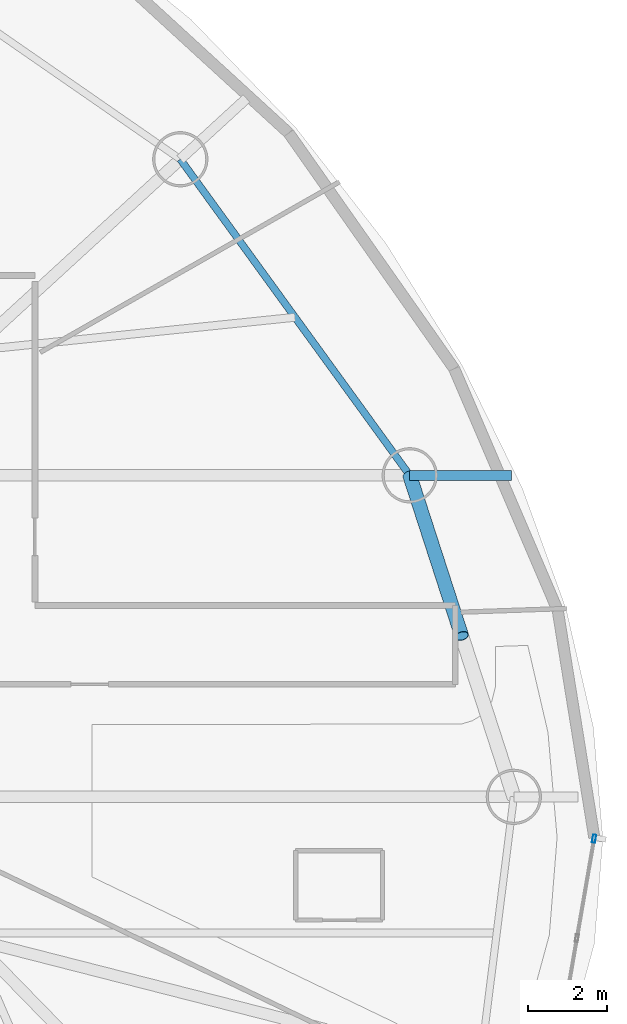
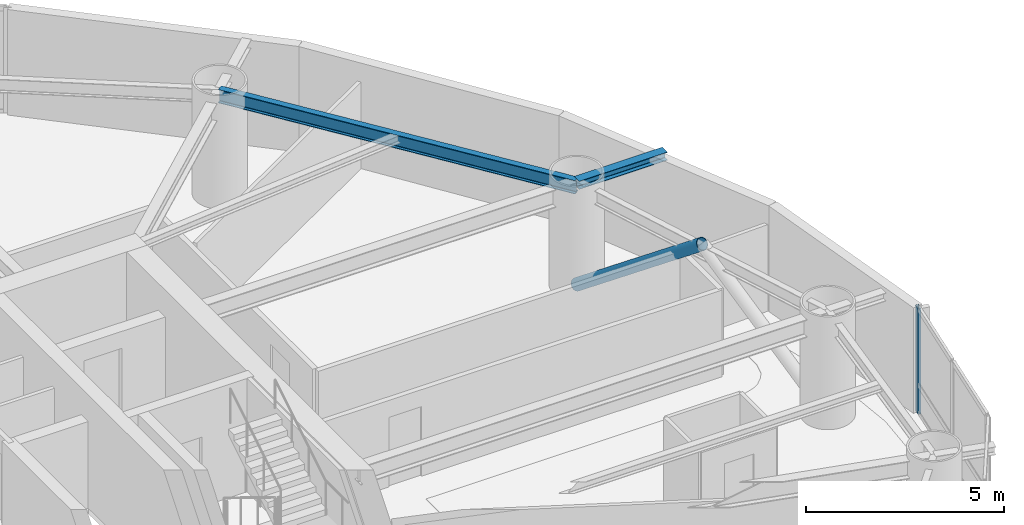
# One storey, part 9 of 22: 2 beams, 2 members, 1 element without a shape of its own.
"""IFC4 building model written with IfcOpenShell, lengths in metres."""

from ifc_helpers import new_model, si_unit, direction, frame, origin, origin_2d, place, context, subcontext, project, spatial, hollow_rectangle, hollow_circle, i_section, extrude, material, layer, layer_set, material_profile, profile_set, type_object, element, aggregate, save


model = new_model("IFC4")

# Units and contexts
model_context = context("Model", 3, precision=1e-05, world=origin(), true_north=direction((0.0, 1.0)))
body_context = subcontext(model_context, "Body", "Model", "MODEL_VIEW")
ifc_project = project(units=[si_unit("LENGTHUNIT", "METRE"), si_unit("AREAUNIT", "SQUARE_METRE"), si_unit("VOLUMEUNIT", "CUBIC_METRE"), si_unit("PLANEANGLEUNIT", "RADIAN"), si_unit("MASSUNIT", "GRAM", prefix="KILO")], contexts=[model_context])

# Site, building, storey
site_placement = place(None, origin())
site = spatial("IfcSite", under=ifc_project, at=site_placement, CompositionType="ELEMENT")
building_placement = place(site_placement, origin())
building = spatial("IfcBuilding", under=site, at=building_placement, Name="Bramvorn Convention Spire", CompositionType="ELEMENT")
storey_placement = place(building_placement, frame((0.0, 0.0, 116.800048828125)))
storey = spatial("IfcBuildingStorey", under=building, at=storey_placement, Name="L28", CompositionType="ELEMENT", Elevation=116.800048828125)

# Beams
ifc_material_1 = material(Name="Steel CSA G40.21 Grade 350 (350W)", Category="steel")
ifc_material_profile_1 = material_profile(ifc_material_1, i_section(OverallWidth=0.25390625, OverallDepth=0.2529296875, WebThickness=0.008544921875, FlangeThickness=0.01416015625, FilletRadius=0.011962890625, at=origin_2d()))
ifc_profile_set_1 = profile_set([ifc_material_profile_1], Name="Steel CSA G40.21 Grade 350 (350W) - W250X73")
beam_type_1 = type_object("IfcBeamType", Name="BM-W250X73", PredefinedType="BEAM", material=ifc_profile_set_1)
beam_1_placement = place(storey_placement, frame((60.345703125, 30.293212890625, 3.133544921875), z_axis=(1.0, 0.0, 0.0), x_axis=(0.0, 1.0, 0.0)))
element("IfcBeam", 1, at=beam_1_placement, inside=storey, type_object=beam_type_1, Name="L28 slab-edge cantilever tip beam MC03", PredefinedType="BEAM", context=body_context, shape_type="SweptSolid", body=[
    extrude(i_section(OverallWidth=0.25390625, OverallDepth=0.2529296875, WebThickness=0.008544921875, FlangeThickness=0.01416015625, FilletRadius=0.011962890625, at=origin_2d()), origin(), (0.0, 0.0, 1.0), 2.580078125),
])
ifc_material_profile_2 = material_profile(ifc_material_1, i_section(OverallWidth=0.180908203125, OverallDepth=0.4169921875, WebThickness=0.010986328125, FlangeThickness=0.018310546875, FilletRadius=0.01611328125, at=origin_2d()))
ifc_profile_set_2 = profile_set([ifc_material_profile_2], Name="Steel CSA G40.21 Grade 350 (350W) - W410X85")
beam_type_2 = type_object("IfcBeamType", Name="BM-W410X85", PredefinedType="JOIST", material=ifc_profile_set_2)
beam_2_placement = place(storey_placement, frame((60.345703125, 30.293212890625, 3.051513671875), z_axis=(-0.587401024629, 0.809296012757, 0.0), x_axis=(-0.809296012757, -0.587401024629, 0.0)))
element("IfcBeam", 2, at=beam_2_placement, inside=storey, type_object=beam_type_2, Name="L28 mega-column ring beam 03", PredefinedType="JOIST", context=body_context, shape_type="SweptSolid", body=[
    extrude(i_section(OverallWidth=0.180908203125, OverallDepth=0.4169921875, WebThickness=0.010986328125, FlangeThickness=0.018310546875, FilletRadius=0.01611328125, at=origin_2d()), origin(), (0.0, 0.0, 1.0), 9.892333984375),
])

# Curtain wall, member
ifc_material_2 = material(Name="Anodised Bronze Unitised Curtain Wall", Category="aluminium")
ifc_layer = layer(ifc_material_2, 0.179931640625)
ifc_layer_set = layer_set([ifc_layer], Name="Anodised Bronze Unitised Curtain Wall - CW-HTL-FRIT")
curtain_wall_type = type_object("IfcCurtainWallType", Name="CW-HTL-FRIT", PredefinedType="USERDEFINED", material=ifc_layer_set)
curtain_wall_placement = place(storey_placement, origin())
curtain_wall = element("IfcCurtainWall", 3, at=curtain_wall_placement, inside=storey, type_object=curtain_wall_type, Name="L28 fritted glass curtain wall 01", ObjectType="UNITISED CURTAIN WALL", PredefinedType="USERDEFINED")
ifc_material_3 = material(Name="Anodised Bronze Aluminium 6063-T6", Category="aluminium")
ifc_material_profile_3 = material_profile(ifc_material_3, hollow_rectangle(XDim=0.080078125, YDim=0.199951171875, WallThickness=0.00390625, InnerFilletRadius=0.0009765625, OuterFilletRadius=0.00390625, at=origin_2d()))
ifc_profile_set_3 = profile_set([ifc_material_profile_3], Name="Anodised Bronze Aluminium 6063-T6 - CWM80X200")
member_type_1 = type_object("IfcMemberType", Name="CW-MUL-180", PredefinedType="MULLION", material=ifc_profile_set_3)
member_1_placement = place(storey_placement, frame((65.0166015625, 21.08740234375, 0.0), z_axis=(0.0, 0.0, 1.0), x_axis=(0.985341823442, -0.170591591163, 0.0)))
member_1 = element("IfcMember", 4, at=member_1_placement, type_object=member_type_1, Name="CW2 mullion 1", PredefinedType="MULLION", context=body_context, shape_type="SweptSolid", body=[
    extrude(hollow_rectangle(XDim=0.080078125, YDim=0.199951171875, WallThickness=0.00390625, InnerFilletRadius=0.0009765625, OuterFilletRadius=0.00390625, at=origin_2d()), origin(), (0.0, 0.0, 1.0), 3.260009765625),
])
aggregate(curtain_wall, [member_1])

# Member
ifc_material_profile_4 = material_profile(ifc_material_1, hollow_circle(Radius=0.177734375, WallThickness=0.015869140625, at=origin_2d()))
ifc_profile_set_4 = profile_set([ifc_material_profile_4], Name="Steel CSA G40.21 Grade 350 (350W) - CHS356X16")
member_type_2 = type_object("IfcMemberType", Name="MBR-CHS356X16", PredefinedType="BRACE", material=ifc_profile_set_4)
member_2_placement = place(storey_placement, frame((60.345703125, 30.293212890625, 0.0), z_axis=(0.245147921079, -0.756859609759, 0.605859742768), x_axis=(0.951340807692, 0.308140662068, 0.0)))
element("IfcMember", 5, at=member_2_placement, inside=storey, type_object=member_type_2, Name="L28 perimeter Gothic lancet brace 2B", PredefinedType="BRACE", context=body_context, shape_type="SweptSolid", body=[
    extrude(hollow_circle(Radius=0.177734375, WallThickness=0.015869140625, at=origin_2d()), origin(), (0.0, 0.0, 1.0), 5.380859375),
])

save(model, "model.ifc")
